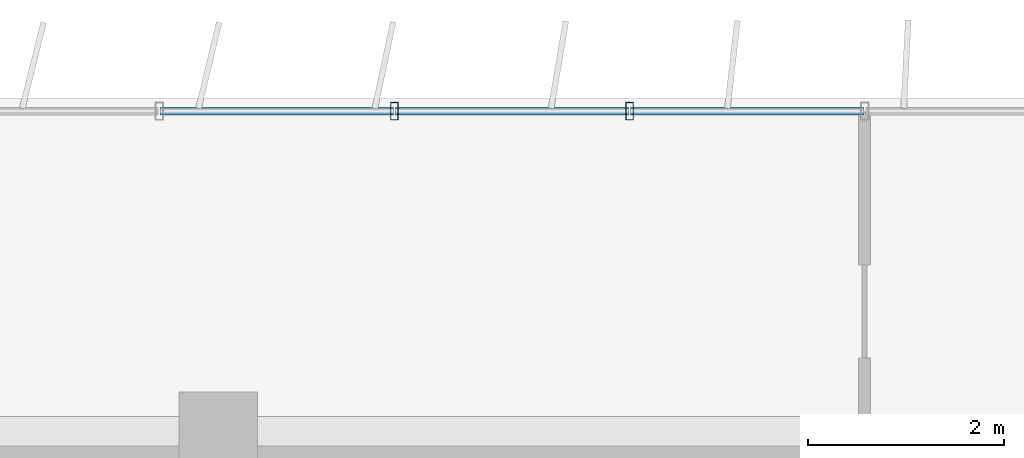
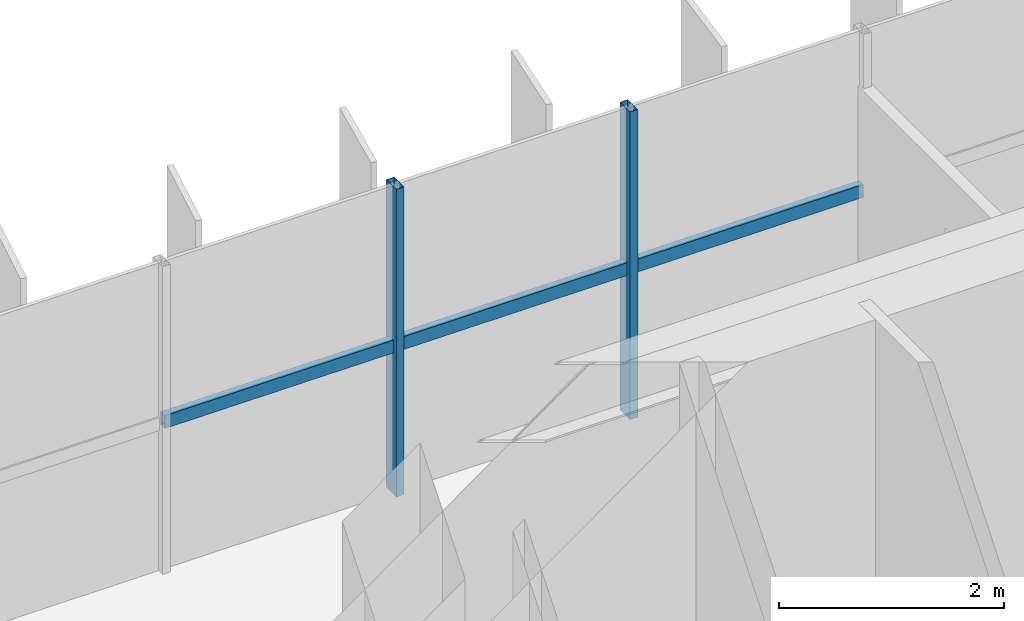
# One storey, part 11 of 26: 5 members, 1 element without a shape of its own.
"""IFC4 building model written with IfcOpenShell, lengths in metres."""

from ifc_helpers import new_model, si_unit, direction, frame, origin, origin_2d, place, context, subcontext, project, spatial, hollow_rectangle, extrude, source, transform, mapped, material, material_profile, profile_set, type_object, element, aggregate, save


model = new_model("IFC4")

# Units and contexts
model_context = context("Model", 3, precision=1e-05, world=origin(), true_north=direction((0.0, 1.0)))
body_context = subcontext(model_context, "Body", "Model", "MODEL_VIEW")
ifc_project = project(units=[si_unit("LENGTHUNIT", "METRE"), si_unit("AREAUNIT", "SQUARE_METRE"), si_unit("VOLUMEUNIT", "CUBIC_METRE"), si_unit("PLANEANGLEUNIT", "RADIAN"), si_unit("MASSUNIT", "GRAM", prefix="KILO")], contexts=[model_context])

# Site, building, storey
site_placement = place(None, origin())
site = spatial("IfcSite", under=ifc_project, at=site_placement, CompositionType="ELEMENT")
building_placement = place(site_placement, origin())
building = spatial("IfcBuilding", under=site, at=building_placement, Name="Trelvane Seafront Commons", CompositionType="ELEMENT")
storey_placement = place(building_placement, frame((0.0, 0.0, 124.89990234375)))
storey = spatial("IfcBuildingStorey", under=building, at=storey_placement, Name="L32", CompositionType="ELEMENT", Elevation=124.89990234375)

# Curtain wall, members
ifc_material = material(Name="Anodised pale-silver aluminium", Category="aluminium")
curtain_wall_type = type_object("IfcCurtainWallType", Name="ARCH-CW4-SKYLOBBY", PredefinedType="NOTDEFINED", material=ifc_material)
curtain_wall_placement = place(storey_placement, origin())
curtain_wall = element("IfcCurtainWall", 1, at=curtain_wall_placement, inside=storey, type_object=curtain_wall_type, Name="CW-L32-0057", PredefinedType="NOTDEFINED")
ifc_material_profile_1 = material_profile(ifc_material, hollow_rectangle(XDim=0.074951171875, YDim=0.139892578125, WallThickness=0.00390625, at=origin_2d()), Name="TRAN-75x140x4")
ifc_profile_set_1 = profile_set([ifc_material_profile_1], Name="Anodised pale-silver aluminium")
member_type_1 = type_object("IfcMemberType", Name="ARCH-CW-TRAN-140", PredefinedType="USERDEFINED", material=ifc_profile_set_1)
shared_shape_1 = source(origin(), body_context, "Body", "SweptSolid", [
    extrude(hollow_rectangle(XDim=0.074951171875, YDim=0.139892578125, WallThickness=0.00390625, at=origin_2d()), origin(), (0.0, 0.0, 1.0), 2.3759765625),
])
member_1_placement = place(storey_placement, frame((30.011962890625, 48.3701171875, 1.60302734375), z_axis=(1.0, 0.0, 0.0), x_axis=(0.0, 1.0, 0.0)))
member_1 = element("IfcMember", 2, at=member_1_placement, type_object=member_type_1, Name="CW-L32-0057-T06", ObjectType="TRANSOM", PredefinedType="USERDEFINED", context=body_context, shape_type="MappedRepresentation", body=[
    mapped(shared_shape_1, transform((0.0, 0.0, 0.0), x_axis=(1.0, 0.0, 0.0), y_axis=(0.0, 1.0, 0.0), z_axis=(0.0, 0.0, 1.0), scale=1.0)),
])
member_2_placement = place(storey_placement, frame((32.412109375, 48.3701171875, 1.60302734375), z_axis=(1.0, 0.0, 0.0), x_axis=(0.0, 1.0, 0.0)))
member_2 = element("IfcMember", 3, at=member_2_placement, type_object=member_type_1, Name="CW-L32-0057-T07", ObjectType="TRANSOM", PredefinedType="USERDEFINED", context=body_context, shape_type="MappedRepresentation", body=[
    mapped(shared_shape_1, transform((0.0, 0.0, 0.0), x_axis=(1.0, 0.0, 0.0), y_axis=(0.0, 1.0, 0.0), z_axis=(0.0, 0.0, 1.0), scale=1.0)),
])
member_3_placement = place(storey_placement, frame((34.81201171875, 48.3701171875, 1.60302734375), z_axis=(1.0, 0.0, 0.0), x_axis=(0.0, 1.0, 0.0)))
member_3 = element("IfcMember", 4, at=member_3_placement, type_object=member_type_1, Name="CW-L32-0057-T08", ObjectType="TRANSOM", PredefinedType="USERDEFINED", context=body_context, shape_type="MappedRepresentation", body=[
    mapped(shared_shape_1, transform((0.0, 0.0, 0.0), x_axis=(1.0, 0.0, 0.0), y_axis=(0.0, 1.0, 0.0), z_axis=(0.0, 0.0, 1.0), scale=1.0)),
])
ifc_material_profile_2 = material_profile(ifc_material, hollow_rectangle(XDim=0.080078125, YDim=0.179931640625, WallThickness=0.00439453125, at=origin_2d()), Name="MULL-80x180x4.5")
ifc_profile_set_2 = profile_set([ifc_material_profile_2], Name="Anodised pale-silver aluminium")
member_type_2 = type_object("IfcMemberType", Name="ARCH-CW-MULL-180", PredefinedType="MULLION", material=ifc_profile_set_2)
shared_shape_2 = source(origin(), body_context, "Body", "SweptSolid", [
    extrude(hollow_rectangle(XDim=0.080078125, YDim=0.179931640625, WallThickness=0.00439453125, at=origin_2d()), origin(), (0.0, 0.0, 1.0), 3.340087890625),
])
member_4_placement = place(storey_placement, frame((32.39990234375, 48.3701171875, 0.0), z_axis=(0.0, 0.0, 1.0), x_axis=(1.0, 0.0, 0.0)))
member_4 = element("IfcMember", 5, at=member_4_placement, type_object=member_type_2, Name="CW-L32-0057-M07", PredefinedType="MULLION", context=body_context, shape_type="MappedRepresentation", body=[
    mapped(shared_shape_2, transform((0.0, 0.0, 0.0), x_axis=(1.0, 0.0, 0.0), y_axis=(0.0, 1.0, 0.0), z_axis=(0.0, 0.0, 1.0), scale=1.0)),
])
member_5_placement = place(storey_placement, frame((34.800048828125, 48.3701171875, 0.0), z_axis=(0.0, 0.0, 1.0), x_axis=(1.0, 0.0, 0.0)))
member_5 = element("IfcMember", 6, at=member_5_placement, type_object=member_type_2, Name="CW-L32-0057-M08", PredefinedType="MULLION", context=body_context, shape_type="MappedRepresentation", body=[
    mapped(shared_shape_2, transform((0.0, 0.0, 0.0), x_axis=(1.0, 0.0, 0.0), y_axis=(0.0, 1.0, 0.0), z_axis=(0.0, 0.0, 1.0), scale=1.0)),
])
aggregate(curtain_wall, [member_4, member_5, member_1, member_2, member_3])

save(model, "model.ifc")
